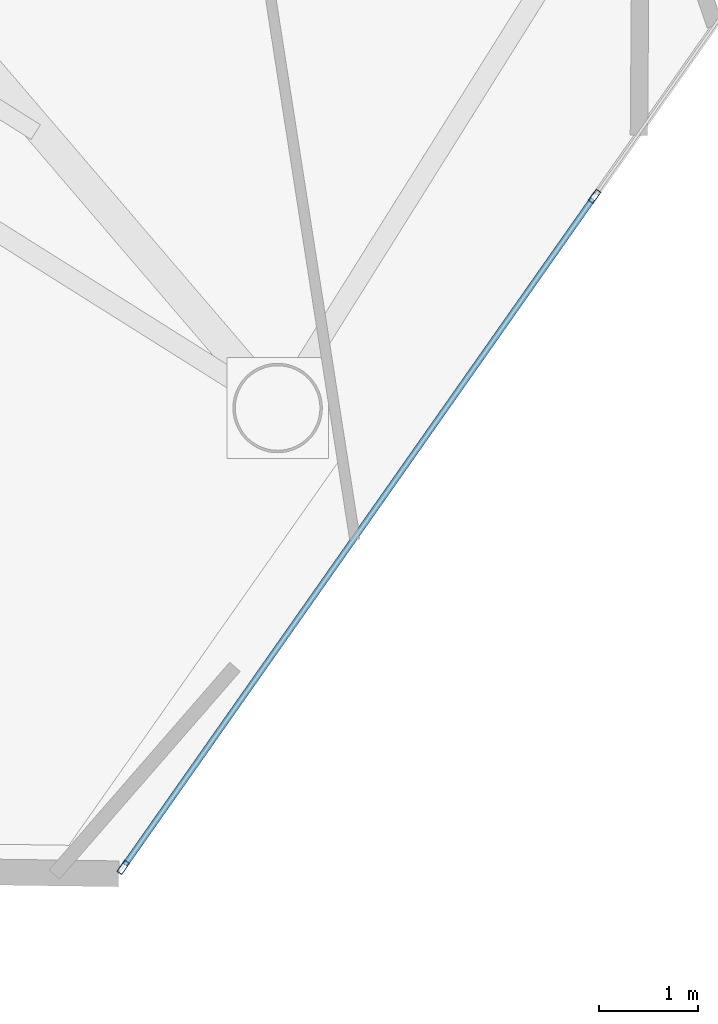
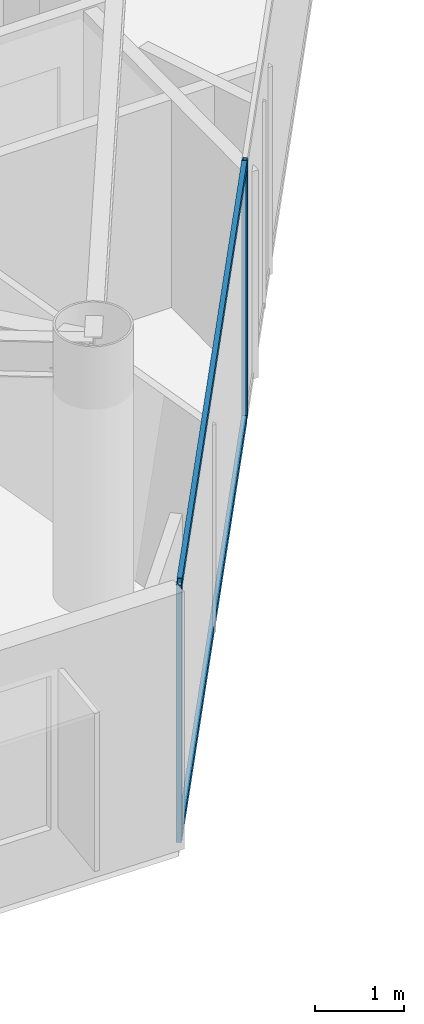
# One storey, part 5 of 19: 4 members, 1 element without a shape of its own.
"""IFC4 building model written with IfcOpenShell, lengths in metres."""

from ifc_helpers import new_model, si_unit, direction, frame, origin, origin_2d, place, context, subcontext, project, spatial, hollow_rectangle, extrude, material, layer, layer_set, material_profile, profile_set, type_object, element, aggregate, save


model = new_model("IFC4")

# Units and contexts
model_context = context("Model", 3, precision=1e-05, world=origin(), true_north=direction((0.0, 1.0)))
body_context = subcontext(model_context, "Body", "Model", "MODEL_VIEW")
ifc_project = project(units=[si_unit("LENGTHUNIT", "METRE"), si_unit("AREAUNIT", "SQUARE_METRE"), si_unit("VOLUMEUNIT", "CUBIC_METRE"), si_unit("PLANEANGLEUNIT", "RADIAN"), si_unit("MASSUNIT", "GRAM", prefix="KILO")], contexts=[model_context])

# Site, building, storey
site_placement = place(None, origin())
site = spatial("IfcSite", under=ifc_project, at=site_placement, CompositionType="ELEMENT")
building_placement = place(site_placement, origin())
building = spatial("IfcBuilding", under=site, at=building_placement, Name="Qianvela Tower", CompositionType="ELEMENT")
storey_placement = place(building_placement, frame((0.0, 0.0, 280.60009765625)))
storey = spatial("IfcBuildingStorey", under=building, at=storey_placement, Name="L72", CompositionType="ELEMENT", Elevation=280.60009765625)

# Curtain wall, members
ifc_material_1 = material(Name="Anodised Architectural Aluminium and Low-E Glass", Category="aluminium")
ifc_layer = layer(ifc_material_1, 0.14990234375)
ifc_layer_set = layer_set([ifc_layer], Name="Anodised Architectural Aluminium and Low-E Glass")
curtain_wall_type = type_object("IfcCurtainWallType", Name="CW-COLIV-Z78", PredefinedType="USERDEFINED", material=ifc_layer_set)
curtain_wall_placement = place(storey_placement, origin())
curtain_wall = element("IfcCurtainWall", 1, at=curtain_wall_placement, inside=storey, type_object=curtain_wall_type, Name="L72 CW-COLIV-Z78 Curtain Wall 06A", ObjectType="CURTAIN_WALL_SYSTEM", PredefinedType="USERDEFINED")
ifc_material_2 = material(Name="Anodised Architectural Aluminium 6063-T6", Category="aluminium")
ifc_material_profile_1 = material_profile(ifc_material_2, hollow_rectangle(XDim=0.06005859375, YDim=0.139892578125, WallThickness=0.00439453125, at=origin_2d()), Name="ALU-MULL-60x140")
ifc_profile_set_1 = profile_set([ifc_material_profile_1], Name="Anodised Architectural Aluminium 6063-T6")
member_type_1 = type_object("IfcMemberType", Name="CW-COLIV-Z78-MULL", PredefinedType="MULLION", material=ifc_profile_set_1)
member_1_placement = place(storey_placement, frame((37.54345703125, 6.968017578125, 0.0), z_axis=(0.0, 0.0, 1.0), x_axis=(-0.818279655571, 0.574820324344, 0.0)))
member_1 = element("IfcMember", 2, at=member_1_placement, type_object=member_type_1, Name="CW-6 mullion 1", PredefinedType="MULLION", context=body_context, shape_type="SweptSolid", body=[
    extrude(hollow_rectangle(XDim=0.06005859375, YDim=0.139892578125, WallThickness=0.00439453125, at=origin_2d()), origin(), (0.0, 0.0, 1.0), 3.52001953125),
])
member_2_placement = place(storey_placement, frame((42.283935546875, 13.716064453125, 0.0), z_axis=(0.0, 0.0, 1.0), x_axis=(-0.818279655571, 0.574820324344, 0.0)))
member_2 = element("IfcMember", 3, at=member_2_placement, type_object=member_type_1, Name="CW-6 mullion 2", PredefinedType="MULLION", context=body_context, shape_type="SweptSolid", body=[
    extrude(hollow_rectangle(XDim=0.06005859375, YDim=0.139892578125, WallThickness=0.00439453125, at=origin_2d()), origin(), (0.0, 0.0, 1.0), 3.52001953125),
])
ifc_material_3 = material(Name="Anodised Architectural Aluminium 6063-T6", Category="aluminium")
ifc_material_profile_2 = material_profile(ifc_material_3, hollow_rectangle(XDim=0.06005859375, YDim=0.114990234375, WallThickness=0.00390625, at=origin_2d()), Name="ALU-TRAN-60x115")
ifc_profile_set_2 = profile_set([ifc_material_profile_2], Name="Anodised Architectural Aluminium 6063-T6")
member_type_2 = type_object("IfcMemberType", Name="CW-COLIV-Z78-TRAN", PredefinedType="USERDEFINED", material=ifc_profile_set_2)
member_3_placement = place(storey_placement, frame((37.560791015625, 6.992431640625, 0.02978515625), z_axis=(0.574816553679, 0.818282304353, 0.0), x_axis=(-0.818282304353, 0.574816553679, 0.0)))
member_3 = element("IfcMember", 4, at=member_3_placement, type_object=member_type_2, Name="CW-6 transom 1.1", ObjectType="TRANSOM", PredefinedType="USERDEFINED", context=body_context, shape_type="SweptSolid", body=[
    extrude(hollow_rectangle(XDim=0.06005859375, YDim=0.114990234375, WallThickness=0.00390625, at=origin_2d()), origin(), (0.0, 0.0, 1.0), 8.1865234375),
])
member_4_placement = place(storey_placement, frame((37.560791015625, 6.992431640625, 3.489990234375), z_axis=(0.574816553679, 0.818282304353, 0.0), x_axis=(-0.818282304353, 0.574816553679, 0.0)))
member_4 = element("IfcMember", 5, at=member_4_placement, type_object=member_type_2, Name="CW-6 transom 1.2", ObjectType="TRANSOM", PredefinedType="USERDEFINED", context=body_context, shape_type="SweptSolid", body=[
    extrude(hollow_rectangle(XDim=0.06005859375, YDim=0.114990234375, WallThickness=0.00390625, at=origin_2d()), origin(), (0.0, 0.0, 1.0), 8.1865234375),
])
aggregate(curtain_wall, [member_1, member_2, member_3, member_4])

save(model, "model.ifc")
